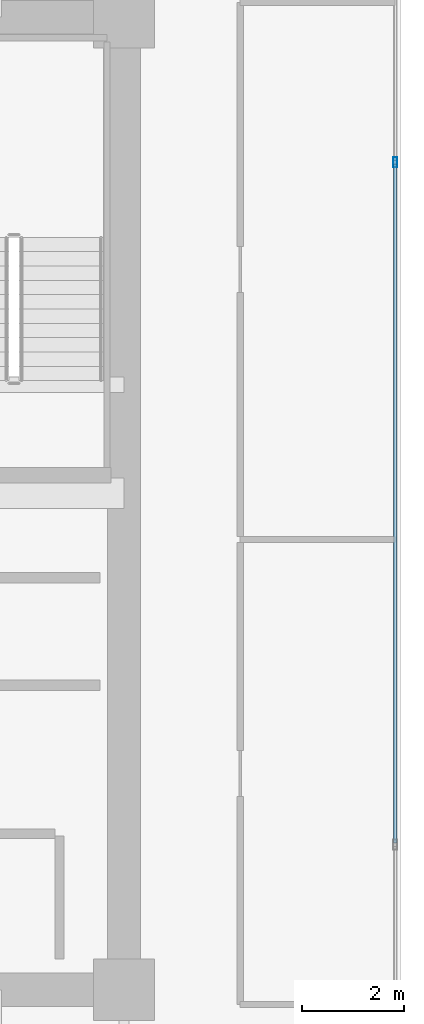
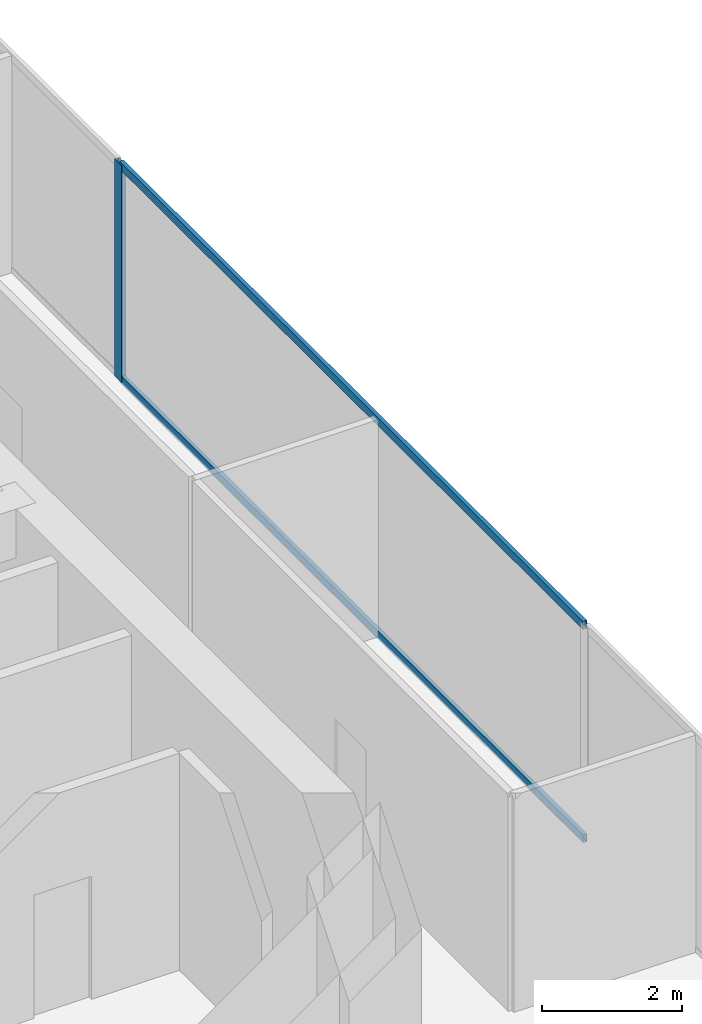
# One storey, part 22 of 30: 3 members, 1 element without a shape of its own.
"""IFC4 building model written with IfcOpenShell, lengths in metres."""

from ifc_helpers import new_model, si_unit, direction, frame, origin, origin_2d, place, context, subcontext, project, spatial, hollow_rectangle, extrude, source, transform, mapped, material, layer, layer_set, material_profile, profile_set, type_object, type_shapes, element, aggregate, save


model = new_model("IFC4")

# Units and contexts
model_context = context("Model", 3, precision=1e-05, world=origin(), true_north=direction((0.0, 1.0)))
body_context = subcontext(model_context, "Body", "Model", "MODEL_VIEW")
ifc_project = project(units=[si_unit("LENGTHUNIT", "METRE"), si_unit("AREAUNIT", "SQUARE_METRE"), si_unit("VOLUMEUNIT", "CUBIC_METRE"), si_unit("PLANEANGLEUNIT", "RADIAN"), si_unit("MASSUNIT", "GRAM", prefix="KILO")], contexts=[model_context])

# Site, building, storey
site_placement = place(None, origin())
site = spatial("IfcSite", under=ifc_project, at=site_placement, CompositionType="ELEMENT")
building_placement = place(site_placement, origin())
building = spatial("IfcBuilding", under=site, at=building_placement, Name="Haelvirn Gate Laboratories", CompositionType="ELEMENT")
storey_placement = place(building_placement, frame((0.0, 0.0, 183.0)))
storey = spatial("IfcBuildingStorey", under=building, at=storey_placement, Name="L44", CompositionType="ELEMENT", Elevation=183.0)

# Curtain wall, members
ifc_material_1 = material(Name="Anodised bronze unitised aluminium & triple low-E glass", Category="aluminium")
ifc_layer = layer(ifc_material_1, 0.179931640625, Name="CW-SYS-3")
ifc_layer_set = layer_set([ifc_layer], Name="Anodised bronze unitised aluminium & triple low-E glass")
curtain_wall_type = type_object("IfcCurtainWallType", Name="CW-SYS-3", PredefinedType="NOTDEFINED", material=ifc_layer_set)
curtain_wall_placement = place(storey_placement, origin())
curtain_wall = element("IfcCurtainWall", 1, at=curtain_wall_placement, inside=storey, type_object=curtain_wall_type, Name="L44 Unitised Curtain Wall CW-L44-P0-E07", PredefinedType="NOTDEFINED")
ifc_material_2 = material(Name="Extruded aluminium 6063-T6 (anodised bronze)", Category="aluminium")
ifc_material_profile_1 = material_profile(ifc_material_2, hollow_rectangle(XDim=0.06494140625, YDim=0.139892578125, WallThickness=0.00390625, at=origin_2d()), Name="CWT-140x65x4")
ifc_profile_set_1 = profile_set([ifc_material_profile_1], Name="Extruded aluminium 6063-T6 (anodised bronze)")
member_type_1 = type_object("IfcMemberType", Name="CWT-T140", PredefinedType="USERDEFINED", material=ifc_profile_set_1)
shared_shape_1 = source(origin(), body_context, "Body", "SweptSolid", [
    extrude(hollow_rectangle(XDim=0.06494140625, YDim=0.139892578125, WallThickness=0.00390625, at=origin_2d()), origin(), (0.0, 0.0, 1.0), 13.25830078125),
])
type_shapes(member_type_1, [shared_shape_1])
member_1_placement = place(storey_placement, frame((72.699951171875, 17.6708984375, 0.032470703125), z_axis=(0.0, 1.0, 0.0), x_axis=(-1.0, 0.0, 0.0)))
member_1 = element("IfcMember", 2, at=member_1_placement, type_object=member_type_1, Name="CW3 transom 2.1", ObjectType="TRANSOM", PredefinedType="USERDEFINED", context=body_context, shape_type="MappedRepresentation", body=[
    mapped(shared_shape_1, transform((0.0, 0.0, 0.0), scale=1.0)),
])
member_2_placement = place(storey_placement, frame((72.699951171875, 17.6708984375, 3.757568359375), z_axis=(0.0, 1.0, 0.0), x_axis=(-1.0, 0.0, 0.0)))
member_2 = element("IfcMember", 3, at=member_2_placement, type_object=member_type_1, Name="CW3 transom 2.2", ObjectType="TRANSOM", PredefinedType="USERDEFINED", context=body_context, shape_type="MappedRepresentation", body=[
    mapped(shared_shape_1, transform((0.0, 0.0, 0.0), scale=1.0)),
])
ifc_material_profile_2 = material_profile(ifc_material_2, hollow_rectangle(XDim=0.074951171875, YDim=0.199951171875, WallThickness=0.0048828125, at=origin_2d()), Name="CWM-200x75x5")
ifc_profile_set_2 = profile_set([ifc_material_profile_2], Name="Extruded aluminium 6063-T6 (anodised bronze)")
member_type_2 = type_object("IfcMemberType", Name="CWM-T200", PredefinedType="MULLION", material=ifc_profile_set_2)
shared_shape_2 = source(origin(), body_context, "Body", "SweptSolid", [
    extrude(hollow_rectangle(XDim=0.074951171875, YDim=0.199951171875, WallThickness=0.0048828125, at=origin_2d()), origin(), (0.0, 0.0, 1.0), 3.7900390625),
])
type_shapes(member_type_2, [shared_shape_2])
member_3_placement = place(storey_placement, frame((72.699951171875, 30.966552734375, 0.0), z_axis=(0.0, 0.0, 1.0), x_axis=(-1.0, 0.0, 0.0)))
member_3 = element("IfcMember", 4, at=member_3_placement, type_object=member_type_2, Name="CW3 mullion 3", PredefinedType="MULLION", context=body_context, shape_type="MappedRepresentation", body=[
    mapped(shared_shape_2, transform((0.0, 0.0, 0.0), scale=1.0)),
])
aggregate(curtain_wall, [member_3, member_1, member_2])

save(model, "model.ifc")
